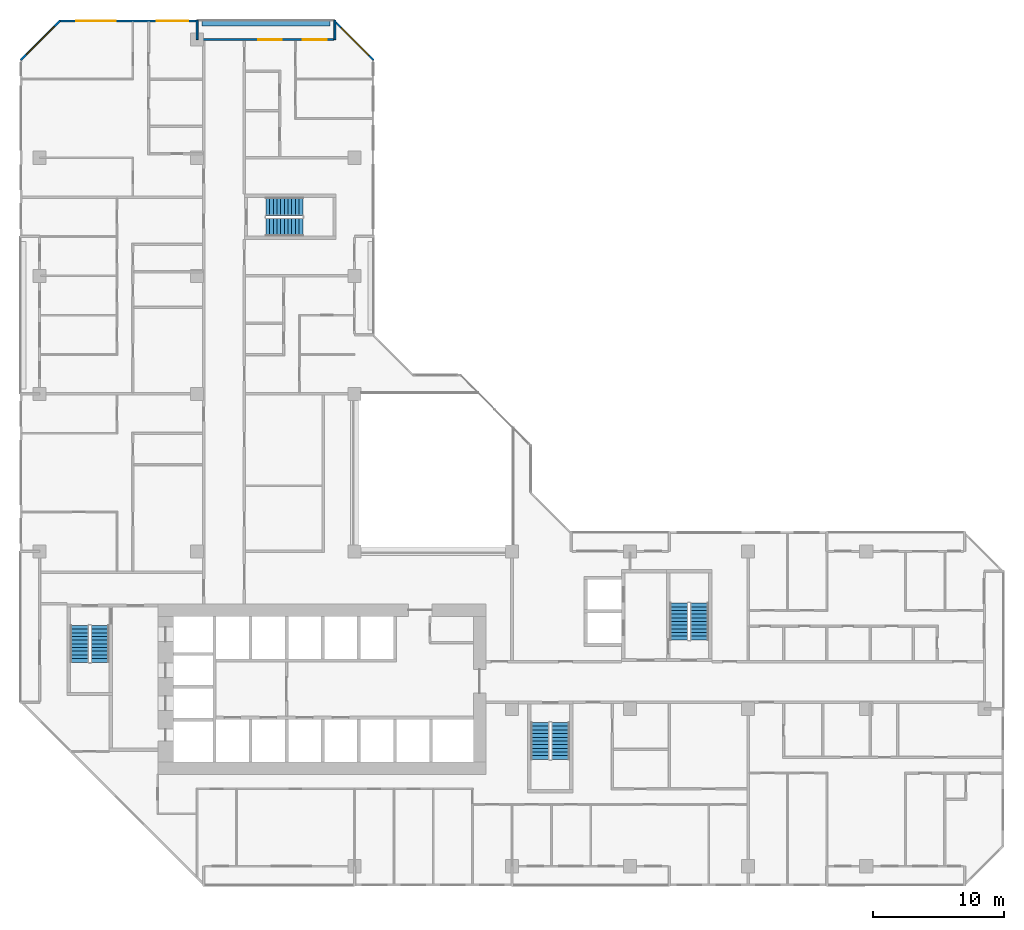
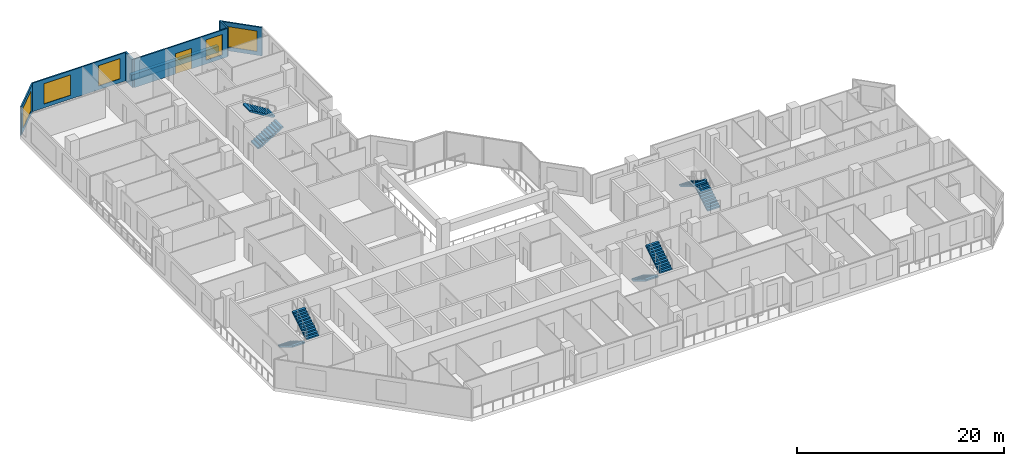
# One storey, part 14 of 16: 8 stair flights, 7 walls, 5 windows, 1 door, 6 openings, 4 elements without a shape of their own.
"""IFC4 building model written with IfcOpenShell, lengths in metres."""

from ifc_helpers import new_model, si_unit, direction, frame, frame_2d, origin, place, context, subcontext, project, spatial, polyline, rectangle, outline, extrude, material, layer, layer_set, type_object, element, fill, aggregate, save


model = new_model("IFC4")

# Units and contexts
model_context = context("Model", 3, precision=1e-05, world=origin(), true_north=direction((0.0, 1.0)))
body_context = subcontext(model_context, "Body", "Model", "MODEL_VIEW")
ifc_project = project(units=[si_unit("LENGTHUNIT", "METRE"), si_unit("AREAUNIT", "SQUARE_METRE"), si_unit("VOLUMEUNIT", "CUBIC_METRE"), si_unit("PLANEANGLEUNIT", "RADIAN"), si_unit("MASSUNIT", "GRAM", prefix="KILO")], contexts=[model_context])

# Site, building, storey
site_placement = place(None, origin())
site = spatial("IfcSite", under=ifc_project, at=site_placement, CompositionType="ELEMENT")
building_placement = place(site_placement, origin())
building = spatial("IfcBuilding", under=site, at=building_placement, Name="Chenar Terraces", CompositionType="ELEMENT")
storey_placement = place(building_placement, frame((0.0, 0.0, 103.14990234375)))
storey = spatial("IfcBuildingStorey", under=building, at=storey_placement, Name="L23", CompositionType="ELEMENT", Elevation=103.14990234375)

# Wall, openings, windows
ifc_material_1 = material(Name="Aluminium framed glazing", Category="aluminium")
ifc_layer_1 = layer(ifc_material_1, 0.14990234375)
ifc_layer_set_1 = layer_set([ifc_layer_1], Name="Aluminium framed glazing")
wall_type_1 = type_object("IfcWallType", Name="Glazed flush facade wall 150", PredefinedType="SOLIDWALL", material=ifc_layer_set_1)
wall_1_placement = place(storey_placement, frame((11.925048828125, 64.425048828125, 0.0), z_axis=(0.0, 0.0, 1.0), x_axis=(-1.0, 0.0, 0.0)))
wall_1 = element("IfcWall", 1, at=wall_1_placement, inside=storey, type_object=wall_type_1, Name="Glazed flush facade wall", PredefinedType="SOLIDWALL", context=body_context, shape_type="SweptSolid", body=[
    extrude(rectangle(XDim=10.425048828125, YDim=0.14990234375, at=frame_2d((5.21240234375, 0.0))), origin(), (0.0, 0.0, 1.0), 3.35009765625),
])
opening_1_placement = place(wall_1_placement, frame((0.612548828125, 0.0, 0.449951171875)))
opening_1 = element("IfcOpeningElement", 2, at=opening_1_placement, cuts=wall_1, Name="Opening W240x240", PredefinedType="OPENING", context=body_context, shape_type="SweptSolid", body=[
    extrude(rectangle(XDim=2.39990234375, YDim=2.39990234375, at=frame_2d((1.199951171875, 1.199951171875))), frame((0.0, 0.0849609375, 0.0), z_axis=(0.0, -1.0, 0.0), x_axis=(1.0, 0.0, 0.0)), (0.0, 0.0, 1.0), 0.169921875),
])
opening_2_placement = place(wall_1_placement, frame((6.125, 0.0, 0.449951171875)))
opening_2 = element("IfcOpeningElement", 3, at=opening_2_placement, cuts=wall_1, Name="Opening W300x240", PredefinedType="OPENING", context=body_context, shape_type="SweptSolid", body=[
    extrude(rectangle(XDim=3.0, YDim=2.39990234375, at=frame_2d((1.5, 1.199951171875))), frame((0.0, 0.0849609375, 0.0), z_axis=(0.0, -1.0, 0.0), x_axis=(1.0, 0.0, 0.0)), (0.0, 0.0, 1.0), 0.169921875),
])
ifc_material_2 = material(Name="Low emissivity double glazing, aluminium frame", Category="aluminium")
window_type_1 = type_object("IfcWindowType", Name="Fixed light 2400 x 2400", PartitioningType="SINGLE_PANEL", PredefinedType="WINDOW", material=ifc_material_2)
window_1_placement = place(opening_1_placement, origin())
window_1 = element("IfcWindow", 4, at=window_1_placement, inside=storey, type_object=window_type_1, Name="Window", OverallHeight=2.39990234375, OverallWidth=2.39990234375, PartitioningType="SINGLE_PANEL", PredefinedType="WINDOW", context=body_context, shape_type="SweptSolid", body=[
    extrude(rectangle(XDim=2.39990234375, YDim=2.39990234375, at=frame_2d((1.199951171875, 1.199951171875))), frame((0.0, 0.030029296875, 0.0), z_axis=(0.0, -1.0, 0.0), x_axis=(1.0, 0.0, 0.0)), (0.0, 0.0, 1.0), 0.06005859375),
])
fill(opening_1, window_1)
ifc_material_3 = material(Name="Low emissivity double glazing, aluminium frame", Category="aluminium")
window_type_2 = type_object("IfcWindowType", Name="Fixed light 3000 x 2400", PartitioningType="SINGLE_PANEL", PredefinedType="WINDOW", material=ifc_material_3)
window_2_placement = place(opening_2_placement, origin())
window_2 = element("IfcWindow", 5, at=window_2_placement, inside=storey, type_object=window_type_2, Name="Window", OverallHeight=2.39990234375, OverallWidth=3.0, PartitioningType="SINGLE_PANEL", PredefinedType="WINDOW", context=body_context, shape_type="SweptSolid", body=[
    extrude(rectangle(XDim=3.0, YDim=2.39990234375, at=frame_2d((1.5, 1.199951171875))), frame((0.0, 0.030029296875, 0.0), z_axis=(0.0, -1.0, 0.0), x_axis=(1.0, 0.0, 0.0)), (0.0, 0.0, 1.0), 0.06005859375),
])
fill(opening_2, window_2)

# Wall, openings, window, door
ifc_material_4 = material(Name="Aluminium framed glazing", Category="aluminium")
ifc_layer_2 = layer(ifc_material_4, 0.14990234375)
ifc_layer_set_2 = layer_set([ifc_layer_2], Name="Aluminium framed glazing")
wall_type_2 = type_object("IfcWallType", Name="Glazed loggia back wall 150", PredefinedType="SOLIDWALL", material=ifc_layer_set_2)
wall_2_placement = place(storey_placement, frame((22.425048828125, 63.0, 0.0), z_axis=(0.0, 0.0, 1.0), x_axis=(-1.0, 0.0, 0.0)))
wall_2 = element("IfcWall", 6, at=wall_2_placement, inside=storey, type_object=wall_type_2, Name="Glazed loggia back wall", PredefinedType="SOLIDWALL", context=body_context, shape_type="SweptSolid", body=[
    extrude(rectangle(XDim=10.35009765625, YDim=0.14990234375, at=frame_2d((5.175048828125, 0.0))), origin(), (0.0, 0.0, 1.0), 3.35009765625),
])
opening_3_placement = place(wall_2_placement, frame((0.5625, 0.0, 0.449951171875)))
opening_3 = element("IfcOpeningElement", 7, at=opening_3_placement, cuts=wall_2, Name="Opening W180x240", PredefinedType="OPENING", context=body_context, shape_type="SweptSolid", body=[
    extrude(rectangle(XDim=1.800048828125, YDim=2.39990234375, at=frame_2d((0.89990234375, 1.199951171875))), frame((0.0, 0.0849609375, 0.0), z_axis=(0.0, -1.0, 0.0), x_axis=(1.0, 0.0, 0.0)), (0.0, 0.0, 1.0), 0.169921875),
])
opening_4_placement = place(wall_2_placement, frame((3.97509765625, 0.0, 0.0)))
opening_4 = element("IfcOpeningElement", 8, at=opening_4_placement, cuts=wall_2, Name="Opening DL23-G3", PredefinedType="OPENING", context=body_context, shape_type="SweptSolid", body=[
    extrude(rectangle(XDim=1.800048828125, YDim=2.39990234375, at=frame_2d((0.89990234375, 1.199951171875))), frame((0.0, 0.0849609375, 0.0), z_axis=(0.0, -1.0, 0.0), x_axis=(1.0, 0.0, 0.0)), (0.0, 0.0, 1.0), 0.169921875),
])
ifc_material_5 = material(Name="Low emissivity double glazing, aluminium frame", Category="aluminium")
window_type_3 = type_object("IfcWindowType", Name="Fixed light 1800 x 2400", PartitioningType="SINGLE_PANEL", PredefinedType="WINDOW", material=ifc_material_5)
window_3_placement = place(opening_3_placement, origin())
window_3 = element("IfcWindow", 9, at=window_3_placement, inside=storey, type_object=window_type_3, Name="Window", OverallHeight=2.39990234375, OverallWidth=1.800048828125, PartitioningType="SINGLE_PANEL", PredefinedType="WINDOW", context=body_context, shape_type="SweptSolid", body=[
    extrude(rectangle(XDim=1.800048828125, YDim=2.39990234375, at=frame_2d((0.89990234375, 1.199951171875))), frame((0.0, 0.030029296875, 0.0), z_axis=(0.0, -1.0, 0.0), x_axis=(1.0, 0.0, 0.0)), (0.0, 0.0, 1.0), 0.06005859375),
])
fill(opening_3, window_3)
ifc_material_6 = material(Name="Low emissivity double glazing, aluminium frame", Category="aluminium")
door_type = type_object("IfcDoorType", Name="Loggia glazed double door 1800 x 2400", OperationType="DOUBLE_DOOR_SINGLE_SWING", PredefinedType="DOOR", material=ifc_material_6)
door_placement = place(opening_4_placement, frame((1.800048828125, 0.0, 0.0), z_axis=(0.0, 0.0, 1.0), x_axis=(-1.0, 0.0, 0.0)))
door = element("IfcDoor", 10, at=door_placement, inside=storey, type_object=door_type, Name="Loggia glazed door", OperationType="DOUBLE_DOOR_SINGLE_SWING", OverallHeight=2.39990234375, OverallWidth=1.800048828125, PredefinedType="DOOR", context=body_context, shape_type="SweptSolid", body=[
    extrude(rectangle(XDim=1.800048828125, YDim=2.39990234375, at=frame_2d((0.89990234375, 1.199951171875))), frame((0.0, 0.02490234375, 0.0), z_axis=(0.0, -1.0, 0.0), x_axis=(1.0, 0.0, 0.0)), (0.0, 0.0, 1.0), 0.050048828125),
])
fill(opening_4, door)

# Walls
ifc_material_7 = material(Name="Terracotta cladding on insulated backing", Category="masonry")
ifc_layer_3 = layer(ifc_material_7, 0.14990234375)
ifc_layer_set_3 = layer_set([ifc_layer_3], Name="Terracotta cladding on insulated backing")
wall_type_3 = type_object("IfcWallType", Name="Loggia return wall 150", PredefinedType="SOLIDWALL", material=ifc_layer_set_3)
for number, where, z_axis, x_axis, name in (
    (11, (22.5, 64.5, 0.0), (0.0, 0.0, 1.0), (0.0, -1.0, 0.0), "Loggia return wall"),
    (12, (12.0, 64.5, 0.0), (0.0, 0.0, 1.0), (0.0, -1.0, 0.0), "Loggia return wall"),
):
    element("IfcWall", number, at=place(storey_placement, frame(where, z_axis=z_axis, x_axis=x_axis)), inside=storey, type_object=wall_type_3, Name=name, PredefinedType="SOLIDWALL", context=body_context, shape_type="SweptSolid", body=[
        extrude(rectangle(XDim=1.5, YDim=0.14990234375, at=frame_2d((0.75, 0.0))), origin(), (0.0, 0.0, 1.0), 3.35009765625),
    ])

# Wall, opening, window
ifc_material_8 = material(Name="Terracotta cladding on insulated backing", Category="masonry")
ifc_layer_4 = layer(ifc_material_8, 0.14990234375)
ifc_layer_set_4 = layer_set([ifc_layer_4], Name="Terracotta cladding on insulated backing")
wall_type_4 = type_object("IfcWallType", Name="Terracotta rainscreen wall 150", PredefinedType="SOLIDWALL", material=ifc_layer_set_4)
wall_3_placement = place(storey_placement, frame((25.447021484375, 61.447021484375, 0.0), z_axis=(0.0, 0.0, 1.0), x_axis=(-0.707106781187, 0.707106781187, 0.0)))
wall_3 = element("IfcWall", 13, at=wall_3_placement, inside=storey, type_object=wall_type_4, Name="Terracotta rainscreen wall", PredefinedType="SOLIDWALL", context=body_context, shape_type="SweptSolid", body=[
    extrude(rectangle(XDim=4.24267578125, YDim=0.14990234375, at=frame_2d((2.121337890625, 0.0))), origin(), (0.0, 0.0, 1.0), 3.35009765625),
])
opening_5_placement = place(wall_3_placement, frame((0.498046875, 0.0, 0.449951171875)))
opening_5 = element("IfcOpeningElement", 14, at=opening_5_placement, cuts=wall_3, Name="Opening W300x240", PredefinedType="OPENING", context=body_context, shape_type="SweptSolid", body=[
    extrude(rectangle(XDim=3.0, YDim=2.39990234375, at=frame_2d((1.5, 1.199951171875))), frame((0.0, 0.0849609375, 0.0), z_axis=(0.0, -1.0, 0.0), x_axis=(1.0, 0.0, 0.0)), (0.0, 0.0, 1.0), 0.169921875),
])
window_4_placement = place(opening_5_placement, origin())
window_4 = element("IfcWindow", 15, at=window_4_placement, inside=storey, type_object=window_type_2, Name="Window", OverallHeight=2.39990234375, OverallWidth=3.0, PartitioningType="SINGLE_PANEL", PredefinedType="WINDOW", context=body_context, shape_type="SweptSolid", body=[
    extrude(rectangle(XDim=3.0, YDim=2.39990234375, at=frame_2d((1.5, 1.199951171875))), frame((0.0, 0.030029296875, 0.0), z_axis=(0.0, -1.0, 0.0), x_axis=(1.0, 0.0, 0.0)), (0.0, 0.0, 1.0), 0.06005859375),
])
fill(opening_5, window_4)

wall_4_placement = place(storey_placement, frame((1.552978515625, 64.447021484375, 0.0), z_axis=(0.0, 0.0, 1.0), x_axis=(-0.707106781187, -0.707106781187, 0.0)))
wall_4 = element("IfcWall", 16, at=wall_4_placement, inside=storey, type_object=wall_type_4, Name="Terracotta rainscreen wall", PredefinedType="SOLIDWALL", context=body_context, shape_type="SweptSolid", body=[
    extrude(rectangle(XDim=4.24267578125, YDim=0.14990234375, at=frame_2d((2.121337890625, 0.0))), origin(), (0.0, 0.0, 1.0), 3.35009765625),
])
opening_6_placement = place(wall_4_placement, frame((0.621337890625, 0.0, 0.449951171875)))
opening_6 = element("IfcOpeningElement", 17, at=opening_6_placement, cuts=wall_4, Name="Opening W300x240", PredefinedType="OPENING", context=body_context, shape_type="SweptSolid", body=[
    extrude(rectangle(XDim=3.0, YDim=2.39990234375, at=frame_2d((1.5, 1.199951171875))), frame((0.0, 0.0849609375, 0.0), z_axis=(0.0, -1.0, 0.0), x_axis=(1.0, 0.0, 0.0)), (0.0, 0.0, 1.0), 0.169921875),
])
window_5_placement = place(opening_6_placement, origin())
window_5 = element("IfcWindow", 18, at=window_5_placement, inside=storey, type_object=window_type_2, Name="Window", OverallHeight=2.39990234375, OverallWidth=3.0, PartitioningType="SINGLE_PANEL", PredefinedType="WINDOW", context=body_context, shape_type="SweptSolid", body=[
    extrude(rectangle(XDim=3.0, YDim=2.39990234375, at=frame_2d((1.5, 1.199951171875))), frame((0.0, 0.030029296875, 0.0), z_axis=(0.0, -1.0, 0.0), x_axis=(1.0, 0.0, 0.0)), (0.0, 0.0, 1.0), 0.06005859375),
])
fill(opening_6, window_5)

# Wall
ifc_material_9 = material(Name="GRP planter trough")
ifc_layer_5 = layer(ifc_material_9, 0.39990234375)
ifc_layer_set_5 = layer_set([ifc_layer_5], Name="GRP planter trough")
wall_type_5 = type_object("IfcWallType", Name="Vertical greenery planter 400", PredefinedType="SOLIDWALL", material=ifc_layer_set_5)
wall_5_placement = place(storey_placement, frame((22.125, 64.22900390625, 0.0), z_axis=(0.0, 0.0, 1.0), x_axis=(-1.0, 0.0, 0.0)))
element("IfcWall", 19, at=wall_5_placement, inside=storey, type_object=wall_type_5, Name="Vertical greenery planter", PredefinedType="SOLIDWALL", context=body_context, shape_type="SweptSolid", body=[
    extrude(rectangle(XDim=9.75, YDim=0.39990234375, at=frame_2d((4.875, 0.0))), origin(), (0.0, 0.0, 1.0), 0.7001953125),
])

# Stair, stair flights
ifc_material_10 = material(Name="Reinforced concrete C40/50", Category="concrete")
stair_type = type_object("IfcStairType", Name="Core stair 1400 half-turn", PredefinedType="HALF_TURN_STAIR", material=ifc_material_10)
placement = place(storey_placement, origin())
stair_1 = element("IfcStair", 20, at=placement, inside=storey, type_object=stair_type, Name="L23 Stair 1", PredefinedType="HALF_TURN_STAIR")
ifc_material_11 = material(Name="Reinforced concrete C40/50", Category="concrete")
stair_flight_type = type_object("IfcStairFlightType", Name="Core stair flight 1400", PredefinedType="STRAIGHT", material=ifc_material_11)
stair_flight_1_placement = place(storey_placement, frame((3.050048828125, 18.35009765625, 0.0), z_axis=(0.0, 0.0, 1.0), x_axis=(0.0, -1.0, 0.0)))
stair_flight_1 = element("IfcStairFlight", 21, at=stair_flight_1_placement, type_object=stair_flight_type, Name="ST1 flight 1", NumberOfRisers=11, NumberOfTreads=10, PredefinedType="STRAIGHT", RiserHeight=0.170454545, TreadLength=0.28, context=body_context, shape_type="SweptSolid", body=[
    extrude(outline(polyline([(-0.0029296875, 0.0), (-0.0029296875, 0.17041015625), (0.0, 0.17041015625), (0.280029296875, 0.17041015625), (0.280029296875, 0.3408203125), (0.56005859375, 0.3408203125), (0.56005859375, 0.511474609375), (0.840087890625, 0.511474609375), (0.840087890625, 0.681884765625), (1.1201171875, 0.681884765625), (1.1201171875, 0.852294921875), (1.39990234375, 0.852294921875), (1.39990234375, 1.022705078125), (1.679931640625, 1.022705078125), (1.679931640625, 1.193115234375), (1.9599609375, 1.193115234375), (1.9599609375, 1.363525390625), (2.239990234375, 1.363525390625), (2.239990234375, 1.5341796875), (2.52001953125, 1.5341796875), (2.52001953125, 1.70458984375), (2.800048828125, 1.70458984375), (2.802978515625, 1.70458984375), (2.802978515625, 1.529052734375), (2.800048828125, 1.529052734375), (0.288330078125, 0.0), (-0.0029296875, 0.0)])), frame((0.0, 0.699951171875, 0.0), z_axis=(0.0, -1.0, 0.0), x_axis=(1.0, 0.0, 0.0)), (0.0, 0.0, 1.0), 1.39990234375),
])
stair_flight_2_placement = place(storey_placement, frame((4.60009765625, 15.550048828125, 1.875), z_axis=(0.0, 0.0, 1.0), x_axis=(0.0, 1.0, 0.0)))
stair_flight_2 = element("IfcStairFlight", 22, at=stair_flight_2_placement, type_object=stair_flight_type, Name="ST1 flight 2", NumberOfRisers=11, NumberOfTreads=10, PredefinedType="STRAIGHT", RiserHeight=0.170454545, TreadLength=0.28, context=body_context, shape_type="SweptSolid", body=[
    extrude(outline(polyline([(-0.0029296875, 0.0), (-0.0029296875, 0.17041015625), (0.0, 0.17041015625), (0.280029296875, 0.17041015625), (0.280029296875, 0.3408203125), (0.56005859375, 0.3408203125), (0.56005859375, 0.511474609375), (0.840087890625, 0.511474609375), (0.840087890625, 0.681884765625), (1.1201171875, 0.681884765625), (1.1201171875, 0.852294921875), (1.39990234375, 0.852294921875), (1.39990234375, 1.022705078125), (1.679931640625, 1.022705078125), (1.679931640625, 1.193115234375), (1.9599609375, 1.193115234375), (1.9599609375, 1.363525390625), (2.239990234375, 1.363525390625), (2.239990234375, 1.5341796875), (2.52001953125, 1.5341796875), (2.52001953125, 1.70458984375), (2.800048828125, 1.70458984375), (2.802978515625, 1.70458984375), (2.802978515625, 1.529052734375), (2.800048828125, 1.529052734375), (0.288330078125, 0.0), (-0.0029296875, 0.0)])), frame((0.0, 0.699951171875, 0.0), z_axis=(0.0, -1.0, 0.0), x_axis=(1.0, 0.0, 0.0)), (0.0, 0.0, 1.0), 1.39990234375),
])
aggregate(stair_1, [stair_flight_1, stair_flight_2])

stair_2 = element("IfcStair", 23, at=placement, inside=storey, type_object=stair_type, Name="L23 Stair 2", PredefinedType="HALF_TURN_STAIR")
stair_flight_3_placement = place(storey_placement, frame((38.14990234375, 10.949951171875, 0.0), z_axis=(0.0, 0.0, 1.0), x_axis=(0.0, -1.0, 0.0)))
stair_flight_3 = element("IfcStairFlight", 24, at=stair_flight_3_placement, type_object=stair_flight_type, Name="ST2 flight 1", NumberOfRisers=11, NumberOfTreads=10, PredefinedType="STRAIGHT", RiserHeight=0.170454545, TreadLength=0.28, context=body_context, shape_type="SweptSolid", body=[
    extrude(outline(polyline([(-0.0029296875, 0.0), (-0.0029296875, 0.17041015625), (0.0, 0.17041015625), (0.280029296875, 0.17041015625), (0.280029296875, 0.3408203125), (0.56005859375, 0.3408203125), (0.56005859375, 0.511474609375), (0.840087890625, 0.511474609375), (0.840087890625, 0.681884765625), (1.1201171875, 0.681884765625), (1.1201171875, 0.852294921875), (1.39990234375, 0.852294921875), (1.39990234375, 1.022705078125), (1.679931640625, 1.022705078125), (1.679931640625, 1.193115234375), (1.9599609375, 1.193115234375), (1.9599609375, 1.363525390625), (2.239990234375, 1.363525390625), (2.239990234375, 1.5341796875), (2.52001953125, 1.5341796875), (2.52001953125, 1.70458984375), (2.800048828125, 1.70458984375), (2.802978515625, 1.70458984375), (2.802978515625, 1.529052734375), (2.800048828125, 1.529052734375), (0.288330078125, 0.0), (-0.0029296875, 0.0)])), frame((0.0, 0.699951171875, 0.0), z_axis=(0.0, -1.0, 0.0), x_axis=(1.0, 0.0, 0.0)), (0.0, 0.0, 1.0), 1.39990234375),
])
stair_flight_4_placement = place(storey_placement, frame((39.699951171875, 8.14990234375, 1.875), z_axis=(0.0, 0.0, 1.0), x_axis=(0.0, 1.0, 0.0)))
stair_flight_4 = element("IfcStairFlight", 25, at=stair_flight_4_placement, type_object=stair_flight_type, Name="ST2 flight 2", NumberOfRisers=11, NumberOfTreads=10, PredefinedType="STRAIGHT", RiserHeight=0.170454545, TreadLength=0.28, context=body_context, shape_type="SweptSolid", body=[
    extrude(outline(polyline([(-0.0029296875, 0.0), (-0.0029296875, 0.17041015625), (0.0, 0.17041015625), (0.280029296875, 0.17041015625), (0.280029296875, 0.3408203125), (0.56005859375, 0.3408203125), (0.56005859375, 0.511474609375), (0.840087890625, 0.511474609375), (0.840087890625, 0.681884765625), (1.1201171875, 0.681884765625), (1.1201171875, 0.852294921875), (1.39990234375, 0.852294921875), (1.39990234375, 1.022705078125), (1.679931640625, 1.022705078125), (1.679931640625, 1.193115234375), (1.9599609375, 1.193115234375), (1.9599609375, 1.363525390625), (2.239990234375, 1.363525390625), (2.239990234375, 1.5341796875), (2.52001953125, 1.5341796875), (2.52001953125, 1.70458984375), (2.800048828125, 1.70458984375), (2.802978515625, 1.70458984375), (2.802978515625, 1.529052734375), (2.800048828125, 1.529052734375), (0.288330078125, 0.0), (-0.0029296875, 0.0)])), frame((0.0, 0.699951171875, 0.0), z_axis=(0.0, -1.0, 0.0), x_axis=(1.0, 0.0, 0.0)), (0.0, 0.0, 1.0), 1.39990234375),
])
aggregate(stair_2, [stair_flight_3, stair_flight_4])

stair_3 = element("IfcStair", 26, at=placement, inside=storey, type_object=stair_type, Name="L23 Stair 3", PredefinedType="HALF_TURN_STAIR")
stair_flight_5_placement = place(storey_placement, frame((50.27490234375, 17.25, 0.0), z_axis=(0.0, 0.0, 1.0), x_axis=(0.0, 1.0, 0.0)))
stair_flight_5 = element("IfcStairFlight", 27, at=stair_flight_5_placement, type_object=stair_flight_type, Name="ST3 flight 1", NumberOfRisers=11, NumberOfTreads=10, PredefinedType="STRAIGHT", RiserHeight=0.170454545, TreadLength=0.28, context=body_context, shape_type="SweptSolid", body=[
    extrude(outline(polyline([(-0.0029296875, 0.0), (-0.0029296875, 0.17041015625), (0.0, 0.17041015625), (0.280029296875, 0.17041015625), (0.280029296875, 0.3408203125), (0.56005859375, 0.3408203125), (0.56005859375, 0.511474609375), (0.840087890625, 0.511474609375), (0.840087890625, 0.681884765625), (1.1201171875, 0.681884765625), (1.1201171875, 0.852294921875), (1.39990234375, 0.852294921875), (1.39990234375, 1.022705078125), (1.679931640625, 1.022705078125), (1.679931640625, 1.193115234375), (1.9599609375, 1.193115234375), (1.9599609375, 1.363525390625), (2.239990234375, 1.363525390625), (2.239990234375, 1.5341796875), (2.52001953125, 1.5341796875), (2.52001953125, 1.70458984375), (2.800048828125, 1.70458984375), (2.802978515625, 1.70458984375), (2.802978515625, 1.529052734375), (2.800048828125, 1.529052734375), (0.288330078125, 0.0), (-0.0029296875, 0.0)])), frame((0.0, 0.699951171875, 0.0), z_axis=(0.0, -1.0, 0.0), x_axis=(1.0, 0.0, 0.0)), (0.0, 0.0, 1.0), 1.39990234375),
])
stair_flight_6_placement = place(storey_placement, frame((48.72509765625, 20.050048828125, 1.875), z_axis=(0.0, 0.0, 1.0), x_axis=(0.0, -1.0, 0.0)))
stair_flight_6 = element("IfcStairFlight", 28, at=stair_flight_6_placement, type_object=stair_flight_type, Name="ST3 flight 2", NumberOfRisers=11, NumberOfTreads=10, PredefinedType="STRAIGHT", RiserHeight=0.170454545, TreadLength=0.28, context=body_context, shape_type="SweptSolid", body=[
    extrude(outline(polyline([(-0.0029296875, 0.0), (-0.0029296875, 0.17041015625), (0.0, 0.17041015625), (0.280029296875, 0.17041015625), (0.280029296875, 0.3408203125), (0.56005859375, 0.3408203125), (0.56005859375, 0.511474609375), (0.840087890625, 0.511474609375), (0.840087890625, 0.681884765625), (1.1201171875, 0.681884765625), (1.1201171875, 0.852294921875), (1.39990234375, 0.852294921875), (1.39990234375, 1.022705078125), (1.679931640625, 1.022705078125), (1.679931640625, 1.193115234375), (1.9599609375, 1.193115234375), (1.9599609375, 1.363525390625), (2.239990234375, 1.363525390625), (2.239990234375, 1.5341796875), (2.52001953125, 1.5341796875), (2.52001953125, 1.70458984375), (2.800048828125, 1.70458984375), (2.802978515625, 1.70458984375), (2.802978515625, 1.529052734375), (2.800048828125, 1.529052734375), (0.288330078125, 0.0), (-0.0029296875, 0.0)])), frame((0.0, 0.699951171875, 0.0), z_axis=(0.0, -1.0, 0.0), x_axis=(1.0, 0.0, 0.0)), (0.0, 0.0, 1.0), 1.39990234375),
])
aggregate(stair_3, [stair_flight_5, stair_flight_6])

stair_4 = element("IfcStair", 29, at=placement, inside=storey, type_object=stair_type, Name="L23 Stair 4", PredefinedType="HALF_TURN_STAIR")
stair_flight_7_placement = place(storey_placement, frame((17.25, 48.72509765625, 0.0), z_axis=(0.0, 0.0, 1.0), x_axis=(1.0, 0.0, 0.0)))
stair_flight_7 = element("IfcStairFlight", 30, at=stair_flight_7_placement, type_object=stair_flight_type, Name="ST4 flight 1", NumberOfRisers=11, NumberOfTreads=10, PredefinedType="STRAIGHT", RiserHeight=0.170454545, TreadLength=0.28, context=body_context, shape_type="SweptSolid", body=[
    extrude(outline(polyline([(-0.0029296875, 0.0), (-0.0029296875, 0.17041015625), (0.0, 0.17041015625), (0.280029296875, 0.17041015625), (0.280029296875, 0.3408203125), (0.56005859375, 0.3408203125), (0.56005859375, 0.511474609375), (0.840087890625, 0.511474609375), (0.840087890625, 0.681884765625), (1.1201171875, 0.681884765625), (1.1201171875, 0.852294921875), (1.39990234375, 0.852294921875), (1.39990234375, 1.022705078125), (1.679931640625, 1.022705078125), (1.679931640625, 1.193115234375), (1.9599609375, 1.193115234375), (1.9599609375, 1.363525390625), (2.239990234375, 1.363525390625), (2.239990234375, 1.5341796875), (2.52001953125, 1.5341796875), (2.52001953125, 1.70458984375), (2.800048828125, 1.70458984375), (2.802978515625, 1.70458984375), (2.802978515625, 1.529052734375), (2.800048828125, 1.529052734375), (0.288330078125, 0.0), (-0.0029296875, 0.0)])), frame((0.0, 0.699951171875, 0.0), z_axis=(0.0, -1.0, 0.0), x_axis=(1.0, 0.0, 0.0)), (0.0, 0.0, 1.0), 1.39990234375),
])
stair_flight_8_placement = place(storey_placement, frame((20.050048828125, 50.27490234375, 1.875), z_axis=(0.0, 0.0, 1.0), x_axis=(-1.0, 0.0, 0.0)))
stair_flight_8 = element("IfcStairFlight", 31, at=stair_flight_8_placement, type_object=stair_flight_type, Name="ST4 flight 2", NumberOfRisers=11, NumberOfTreads=10, PredefinedType="STRAIGHT", RiserHeight=0.170454545, TreadLength=0.28, context=body_context, shape_type="SweptSolid", body=[
    extrude(outline(polyline([(-0.0029296875, 0.0), (-0.0029296875, 0.17041015625), (0.0, 0.17041015625), (0.280029296875, 0.17041015625), (0.280029296875, 0.3408203125), (0.56005859375, 0.3408203125), (0.56005859375, 0.511474609375), (0.840087890625, 0.511474609375), (0.840087890625, 0.681884765625), (1.1201171875, 0.681884765625), (1.1201171875, 0.852294921875), (1.39990234375, 0.852294921875), (1.39990234375, 1.022705078125), (1.679931640625, 1.022705078125), (1.679931640625, 1.193115234375), (1.9599609375, 1.193115234375), (1.9599609375, 1.363525390625), (2.239990234375, 1.363525390625), (2.239990234375, 1.5341796875), (2.52001953125, 1.5341796875), (2.52001953125, 1.70458984375), (2.800048828125, 1.70458984375), (2.802978515625, 1.70458984375), (2.802978515625, 1.529052734375), (2.800048828125, 1.529052734375), (0.288330078125, 0.0), (-0.0029296875, 0.0)])), frame((0.0, 0.699951171875, 0.0), z_axis=(0.0, -1.0, 0.0), x_axis=(1.0, 0.0, 0.0)), (0.0, 0.0, 1.0), 1.39990234375),
])
aggregate(stair_4, [stair_flight_7, stair_flight_8])

save(model, "model.ifc")
